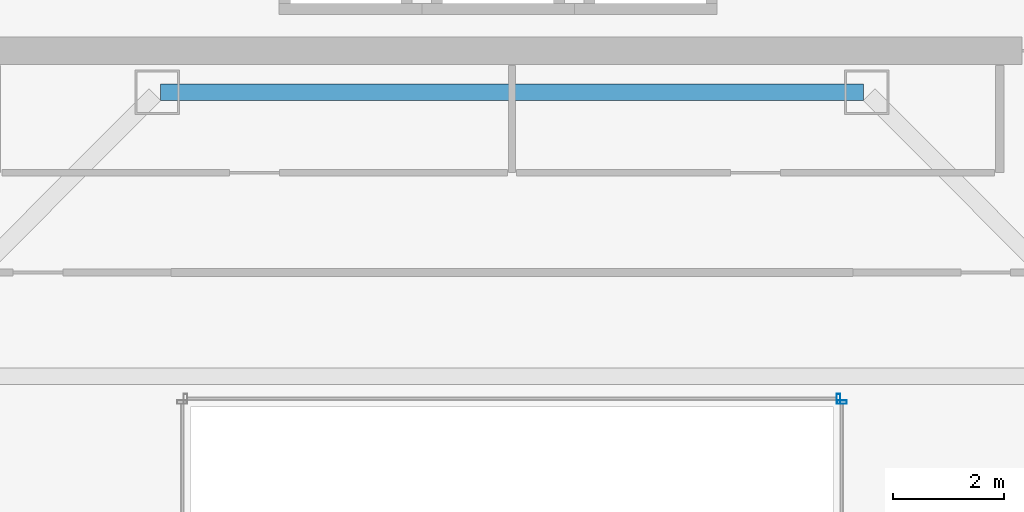
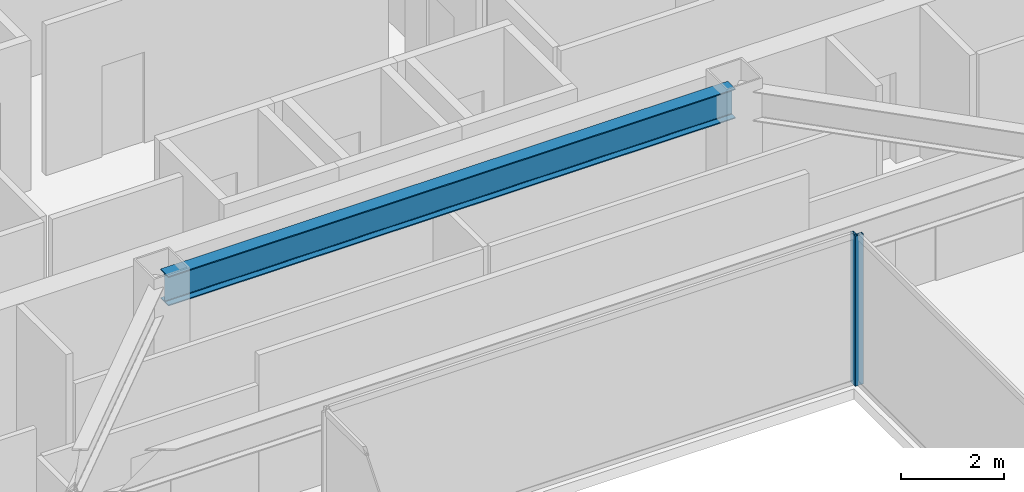
# One storey, part 15 of 36: 2 members, 1 beam, 2 elements without a shape of their own.
"""IFC4 building model written with IfcOpenShell, lengths in metres."""

from ifc_helpers import new_model, si_unit, direction, frame, origin, origin_2d, place, context, subcontext, project, spatial, hollow_rectangle, i_section, extrude, material, material_profile, profile_set, type_object, element, aggregate, save


model = new_model("IFC4")

# Units and contexts
model_context = context("Model", 3, precision=1e-05, world=origin(), true_north=direction((0.0, 1.0)))
body_context = subcontext(model_context, "Body", "Model", "MODEL_VIEW")
ifc_project = project(units=[si_unit("LENGTHUNIT", "METRE"), si_unit("AREAUNIT", "SQUARE_METRE"), si_unit("VOLUMEUNIT", "CUBIC_METRE"), si_unit("PLANEANGLEUNIT", "RADIAN"), si_unit("MASSUNIT", "GRAM", prefix="KILO")], contexts=[model_context])

# Site, building, storey
site_placement = place(None, origin())
site = spatial("IfcSite", under=ifc_project, at=site_placement, CompositionType="ELEMENT")
building_placement = place(site_placement, origin())
building = spatial("IfcBuilding", under=site, at=building_placement, Name="Saevonmaru Cultural Tower", CompositionType="ELEMENT")
storey_placement = place(building_placement, frame((0.0, 0.0, 186.60009765625)))
storey = spatial("IfcBuildingStorey", under=building, at=storey_placement, Name="L42", CompositionType="ELEMENT", Elevation=186.60009765625)

# Beam
ifc_material_1 = material(Name="Steel SM355", Category="steel")
ifc_material_profile_1 = material_profile(ifc_material_1, i_section(OverallWidth=0.300048828125, OverallDepth=0.699951171875, WebThickness=0.012939453125, FlangeThickness=0.02392578125, FilletRadius=0.02587890625, at=origin_2d()), Name="H-700x300x13x24")
ifc_profile_set_1 = profile_set([ifc_material_profile_1], Name="Steel SM355")
beam_type = type_object("IfcBeamType", Name="BM-G-H700", PredefinedType="BEAM", material=ifc_profile_set_1)
beam_placement = place(storey_placement, frame((23.659912109375, 42.39990234375, 3.199951171875), z_axis=(1.0, 0.0, 0.0), x_axis=(0.0, 1.0, 0.0)))
element("IfcBeam", 1, at=beam_placement, inside=storey, type_object=beam_type, Name="L42 Core South Girder 3", PredefinedType="BEAM", context=body_context, shape_type="SweptSolid", body=[
    extrude(i_section(OverallWidth=0.300048828125, OverallDepth=0.699951171875, WebThickness=0.012939453125, FlangeThickness=0.02392578125, FilletRadius=0.02587890625, at=origin_2d()), origin(), (0.0, 0.0, 1.0), 12.68017578125),
])

# Curtain wall, member
ifc_material_2 = material(Name="Satin Bronze Anodised Aluminium", Category="aluminium")
curtain_wall_type = type_object("IfcCurtainWallType", Name="CW-ATR-GLZ", PredefinedType="NOTDEFINED", material=ifc_material_2)
curtain_wall_1_placement = place(storey_placement, origin())
curtain_wall_1 = element("IfcCurtainWall", 2, at=curtain_wall_1_placement, inside=storey, type_object=curtain_wall_type, Name="L42 Vertical Atrium Glazed Smoke Screen 2", PredefinedType="NOTDEFINED")
ifc_material_profile_2 = material_profile(ifc_material_2, hollow_rectangle(XDim=0.06494140625, YDim=0.179931640625, WallThickness=0.00390625, at=origin_2d()), Name="ALU-MULL-180x65x4")
ifc_profile_set_2 = profile_set([ifc_material_profile_2], Name="Satin Bronze Anodised Aluminium")
member_type = type_object("IfcMemberType", Name="ML-CW-INT-180x65", PredefinedType="MULLION", material=ifc_profile_set_2)
member_1_placement = place(storey_placement, frame((35.949951171875, 36.81005859375, 0.0), z_axis=(0.0, 0.0, 1.0), x_axis=(0.0, 1.0, 0.0)))
member_1 = element("IfcMember", 3, at=member_1_placement, type_object=member_type, Name="CW-ATR-L42-2 mullion 2", PredefinedType="MULLION", context=body_context, shape_type="SweptSolid", body=[
    extrude(hollow_rectangle(XDim=0.06494140625, YDim=0.179931640625, WallThickness=0.00390625, at=origin_2d()), origin(), (0.0, 0.0, 1.0), 3.5498046875),
])
aggregate(curtain_wall_1, [member_1])

curtain_wall_2_placement = place(storey_placement, origin())
curtain_wall_2 = element("IfcCurtainWall", 4, at=curtain_wall_2_placement, inside=storey, type_object=curtain_wall_type, Name="L42 Vertical Atrium Glazed Smoke Screen 3", PredefinedType="NOTDEFINED")
member_2_placement = place(storey_placement, frame((35.889892578125, 36.8701171875, 0.0), z_axis=(0.0, 0.0, 1.0), x_axis=(-1.0, 0.0, 0.0)))
member_2 = element("IfcMember", 5, at=member_2_placement, type_object=member_type, Name="CW-ATR-L42-3 mullion 1", PredefinedType="MULLION", context=body_context, shape_type="SweptSolid", body=[
    extrude(hollow_rectangle(XDim=0.06494140625, YDim=0.179931640625, WallThickness=0.00390625, at=origin_2d()), origin(), (0.0, 0.0, 1.0), 3.5498046875),
])
aggregate(curtain_wall_2, [member_2])

save(model, "model.ifc")
